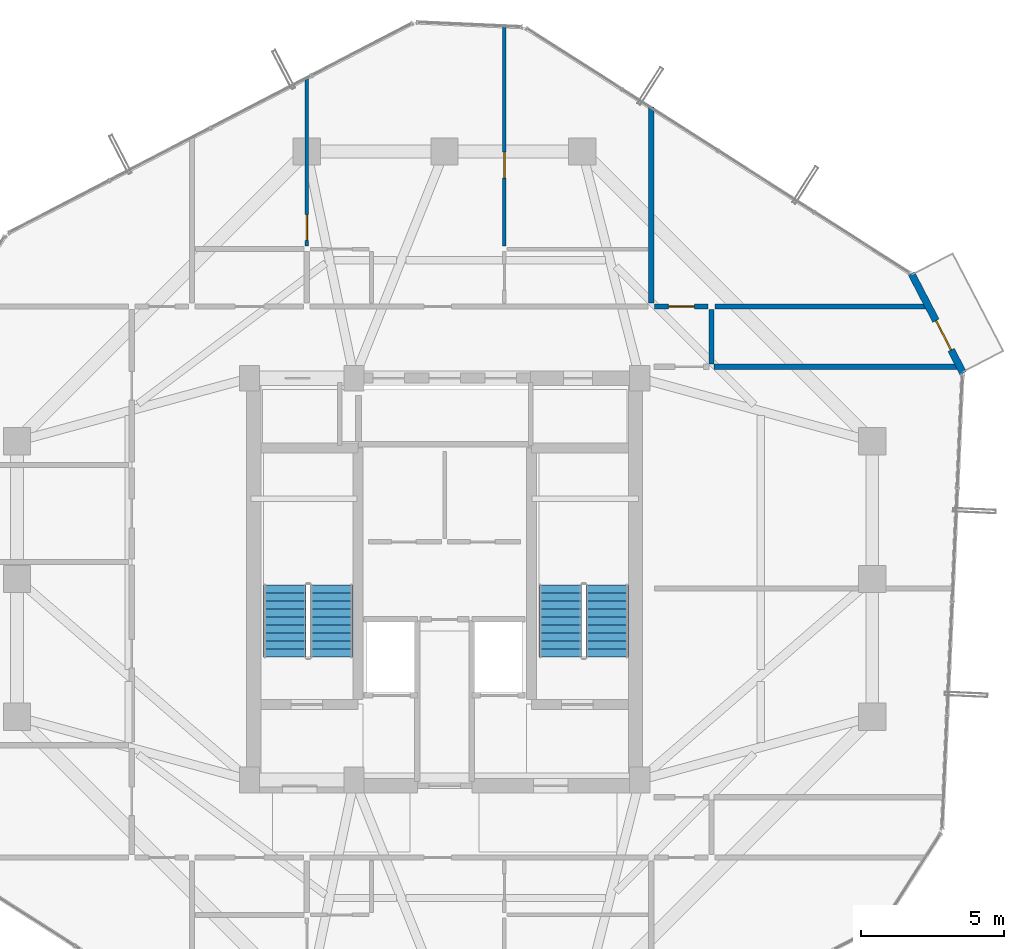
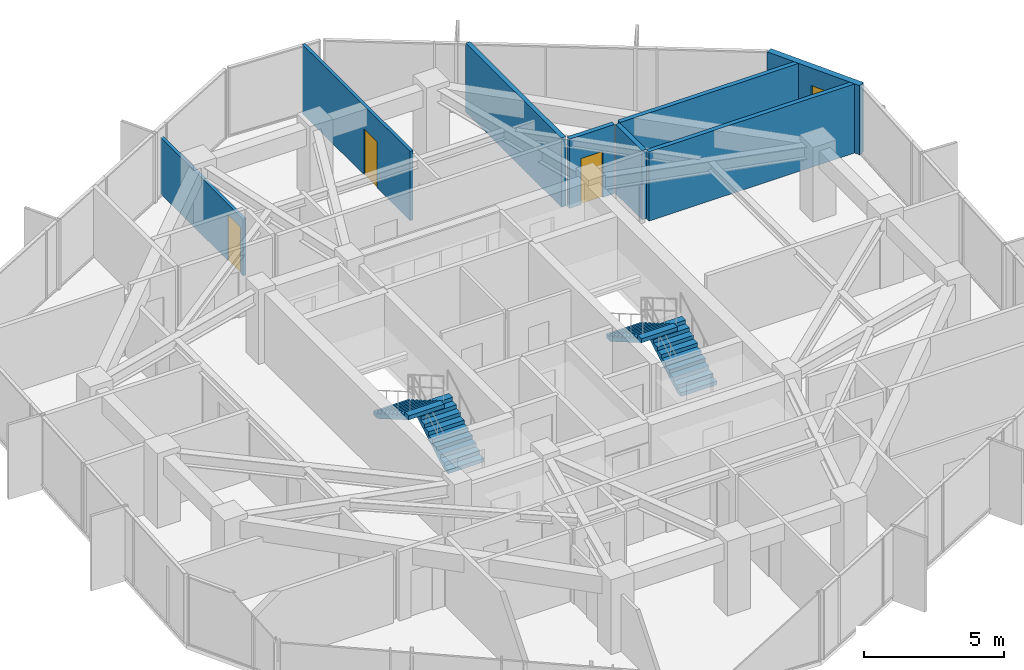
# One storey, part 27 of 29: 8 walls, 4 doors, 4 stair flights, 4 openings, 2 elements without a shape of their own.
"""IFC4 building model written with IfcOpenShell, lengths in metres."""

from ifc_helpers import new_model, si_unit, direction, frame, frame_2d, origin, place, context, subcontext, project, spatial, polyline, rectangle, outline, extrude, source, transform, mapped, material, layer, layer_set, type_object, element, fill, aggregate, save


model = new_model("IFC4")

# Units and contexts
model_context = context("Model", 3, precision=1e-05, world=origin(), true_north=direction((0.0, 1.0)))
body_context = subcontext(model_context, "Body", "Model", "MODEL_VIEW")
ifc_project = project(units=[si_unit("LENGTHUNIT", "METRE"), si_unit("AREAUNIT", "SQUARE_METRE"), si_unit("VOLUMEUNIT", "CUBIC_METRE"), si_unit("PLANEANGLEUNIT", "RADIAN"), si_unit("MASSUNIT", "GRAM", prefix="KILO")], contexts=[model_context])

# Site, building, storey
site_placement = place(None, origin())
site = spatial("IfcSite", under=ifc_project, at=site_placement, CompositionType="ELEMENT")
building_placement = place(site_placement, origin())
building = spatial("IfcBuilding", under=site, at=building_placement, Name="Veraguas Prism Commons", CompositionType="ELEMENT")
storey_placement = place(building_placement, frame((0.0, 0.0, 215.64990234375)))
storey = spatial("IfcBuildingStorey", under=building, at=storey_placement, Name="L61", CompositionType="ELEMENT", Elevation=215.64990234375)

# Walls
ifc_material_1 = material(Name="Autoclaved aerated masonry block 10 MPa", Category="masonry")
ifc_layer_1 = layer(ifc_material_1, 0.179931640625, Name="Corridor and Inter-Tenancy Partition 180", Category="masonry")
ifc_layer_set_1 = layer_set([ifc_layer_1], Name="Autoclaved aerated masonry block 10 MPa")
wall_type_1 = type_object("IfcWallType", Name="Corridor and Inter-Tenancy Partition 180", PredefinedType="PARTITIONING", material=ifc_layer_set_1)
wall_1_placement = place(storey_placement, frame((31.199951171875, 33.6201171875, 0.0), z_axis=(0.0, 0.0, 1.0), x_axis=(0.0, 1.0, 0.0)))
element("IfcWall", 1, at=wall_1_placement, inside=storey, type_object=wall_type_1, Name="WL-L61-PT014", PredefinedType="PARTITIONING", context=body_context, shape_type="SweptSolid", body=[
    extrude(rectangle(XDim=6.830810546875, YDim=0.179931640625, at=frame_2d((3.41552734375, 0.0))), origin(), (0.0, 0.0, 1.0), 3.01513671875),
])
wall_2_placement = place(storey_placement, frame((33.300048828125, 31.5, 0.0), z_axis=(0.0, 0.0, 1.0), x_axis=(0.0, 1.0, 0.0)))
element("IfcWall", 2, at=wall_2_placement, inside=storey, type_object=wall_type_1, Name="WL-L61-PT036", PredefinedType="PARTITIONING", context=body_context, shape_type="SweptSolid", body=[
    extrude(rectangle(XDim=1.89990234375, YDim=0.179931640625, at=frame_2d((0.949951171875, 0.0))), origin(), (0.0, 0.0, 1.0), 3.01513671875),
])
wall_3_placement = place(storey_placement, frame((33.3798828125, 31.39990234375, 0.0), z_axis=(0.0, 0.0, 1.0), x_axis=(1.0, 0.0, 0.0)))
element("IfcWall", 3, at=wall_3_placement, inside=storey, type_object=wall_type_1, Name="WL-L61-PT040", PredefinedType="PARTITIONING", context=body_context, shape_type="SweptSolid", body=[
    extrude(rectangle(XDim=8.60693359375, YDim=0.179931640625, at=frame_2d((4.303466796875, 0.0))), origin(), (0.0, 0.0, 1.0), 3.01513671875),
])
wall_4_placement = place(storey_placement, frame((33.419921875, 33.5, 0.0), z_axis=(0.0, 0.0, 1.0), x_axis=(1.0, 0.0, 0.0)))
element("IfcWall", 4, at=wall_4_placement, inside=storey, type_object=wall_type_1, Name="WL-L61-PT046", PredefinedType="PARTITIONING", context=body_context, shape_type="SweptSolid", body=[
    extrude(rectangle(XDim=7.476318359375, YDim=0.179931640625, at=frame_2d((3.73828125, 0.0))), origin(), (0.0, 0.0, 1.0), 3.01513671875),
])

# Wall, opening, door
wall_5_placement = place(storey_placement, frame((31.320068359375, 33.5, 0.0), z_axis=(0.0, 0.0, 1.0), x_axis=(1.0, 0.0, 0.0)))
wall_5 = element("IfcWall", 5, at=wall_5_placement, inside=storey, type_object=wall_type_1, Name="WL-L61-PT047", PredefinedType="PARTITIONING", context=body_context, shape_type="SweptSolid", body=[
    extrude(rectangle(XDim=1.85986328125, YDim=0.179931640625, at=frame_2d((0.929931640625, 0.0))), origin(), (0.0, 0.0, 1.0), 3.01513671875),
])
opening_1_placement = place(wall_5_placement, frame((0.47998046875, 0.0, 0.0)))
opening_1 = element("IfcOpeningElement", 6, at=opening_1_placement, cuts=wall_5, Name="Opening DR-14", PredefinedType="OPENING", context=body_context, shape_type="SweptSolid", body=[
    extrude(rectangle(XDim=0.89990234375, YDim=2.010009765625, at=frame_2d((0.449951171875, 1.0048828125))), frame((0.0, 0.099853515625, 0.0), z_axis=(0.0, -1.0, 0.0), x_axis=(1.0, 0.0, 0.0)), (0.0, 0.0, 1.0), 0.199951171875),
])
ifc_material_2 = material(Name="Steel fire-rated door assembly", Category="steel")
door_type_1 = type_object("IfcDoorType", Name="Core Service Room Fire Door 900x2010", OperationType="NOTDEFINED", PredefinedType="DOOR", material=ifc_material_2)
shared_shape_1 = source(origin(), body_context, "Body", "SweptSolid", [
    extrude(rectangle(XDim=0.89990234375, YDim=2.010009765625, at=frame_2d((0.449951171875, 1.0048828125))), frame((0.0, 0.02490234375, 0.0), z_axis=(0.0, -1.0, 0.0), x_axis=(1.0, 0.0, 0.0)), (0.0, 0.0, 1.0), 0.050048828125),
])
door_1_placement = place(opening_1_placement, origin())
door_1 = element("IfcDoor", 7, at=door_1_placement, inside=storey, type_object=door_type_1, Name="Residents Cycle and Pram Store NE Door", OperationType="SINGLE_SWING_LEFT", OverallHeight=2.010009765625, OverallWidth=0.89990234375, PredefinedType="DOOR", context=body_context, shape_type="MappedRepresentation", body=[
    mapped(shared_shape_1, transform((0.0, 0.0, 0.0), scale=1.0)),
])
fill(opening_1, door_1)

ifc_material_3 = material(Name="Precast concrete C40/50", Category="concrete")
ifc_layer_2 = layer(ifc_material_3, 0.25, Name="External Loggia and Portal Wall 250", Category="concrete")
ifc_layer_set_2 = layer_set([ifc_layer_2], Name="Precast concrete C40/50")
wall_type_2 = type_object("IfcWallType", Name="External Loggia and Portal Wall 250", PredefinedType="SOLIDWALL", material=ifc_layer_set_2)
wall_6_placement = place(storey_placement, frame((42.06884765625, 31.1767578125, 0.0), z_axis=(0.0, 0.0, 1.0), x_axis=(-0.460857783271, 0.887474001646, 0.0)))
wall_6 = element("IfcWall", 8, at=wall_6_placement, inside=storey, type_object=wall_type_2, Name="Corner Loggia Wall L61-C1", PredefinedType="SOLIDWALL", context=body_context, shape_type="SweptSolid", body=[
    extrude(rectangle(XDim=3.914306640625, YDim=0.25, at=frame_2d((1.95703125, 0.0))), origin(), (0.0, 0.0, 1.0), 3.01513671875),
])
opening_2_placement = place(wall_6_placement, frame((0.909912109375, 0.0, 0.0)))
opening_2 = element("IfcOpeningElement", 9, at=opening_2_placement, cuts=wall_6, Name="Opening DR-10", PredefinedType="OPENING", context=body_context, shape_type="SweptSolid", body=[
    extrude(rectangle(XDim=1.14990234375, YDim=2.25, at=frame_2d((0.574951171875, 1.125))), frame((0.0, 0.135009765625, 0.0), z_axis=(0.0, -1.0, 0.0), x_axis=(1.0, 0.0, 0.0)), (0.0, 0.0, 1.0), 0.27001953125),
])
ifc_material_4 = material(Name="Anodised aluminium EN AW-6063 T6", Category="aluminium")
door_type_2 = type_object("IfcDoorType", Name="Glazed Loggia and Terrace Door 1150x2250", OperationType="NOTDEFINED", PredefinedType="DOOR", material=ifc_material_4)
shared_shape_2 = source(origin(), body_context, "Body", "SweptSolid", [
    extrude(rectangle(XDim=1.14990234375, YDim=2.25, at=frame_2d((0.574951171875, 1.125))), frame((0.0, 0.02490234375, 0.0), z_axis=(0.0, -1.0, 0.0), x_axis=(1.0, 0.0, 0.0)), (0.0, 0.0, 1.0), 0.050048828125),
])
door_2_placement = place(opening_2_placement, frame((1.14990234375, 0.0, 0.0), z_axis=(0.0, 0.0, 1.0), x_axis=(-1.0, 0.0, 0.0)))
door_2 = element("IfcDoor", 10, at=door_2_placement, inside=storey, type_object=door_type_2, Name="Recessed Loggia Door L61-C1", OperationType="SINGLE_SWING_LEFT", OverallHeight=2.25, OverallWidth=1.14990234375, PredefinedType="DOOR", context=body_context, shape_type="MappedRepresentation", body=[
    mapped(shared_shape_2, transform((0.0, 0.0, 0.0), scale=1.0)),
])
fill(opening_2, door_2)

ifc_material_5 = material(Name="Lightweight acoustic gypsum board")
ifc_layer_3 = layer(ifc_material_5, 0.125, Name="Internal Apartment Room Partition 125")
ifc_layer_set_3 = layer_set([ifc_layer_3], Name="Lightweight acoustic gypsum board")
wall_type_3 = type_object("IfcWallType", Name="Internal Apartment Room Partition 125", PredefinedType="PARTITIONING", material=ifc_layer_set_3)
wall_7_placement = place(storey_placement, frame((19.199951171875, 35.60009765625, 0.0), z_axis=(0.0, 0.0, 1.0), x_axis=(0.0, 1.0, 0.0)))
wall_7 = element("IfcWall", 11, at=wall_7_placement, inside=storey, type_object=wall_type_3, Name="WL-L61-PT019", PredefinedType="PARTITIONING", context=body_context, shape_type="SweptSolid", body=[
    extrude(rectangle(XDim=5.896728515625, YDim=0.125, at=frame_2d((2.9482421875, 0.0))), origin(), (0.0, 0.0, 1.0), 2.468994140625),
])
opening_3_placement = place(wall_7_placement, frame((0.199951171875, 0.0, 0.0)))
opening_3 = element("IfcOpeningElement", 12, at=opening_3_placement, cuts=wall_7, Name="Opening DR-02", PredefinedType="OPENING", context=body_context, shape_type="SweptSolid", body=[
    extrude(rectangle(XDim=0.89990234375, YDim=2.010009765625, at=frame_2d((0.449951171875, 1.0048828125))), frame((0.0, 0.072509765625, 0.0), z_axis=(0.0, -1.0, 0.0), x_axis=(1.0, 0.0, 0.0)), (0.0, 0.0, 1.0), 0.14501953125),
])
ifc_material_6 = material(Name="Timber solid core hardwood", Category="wood")
door_type_3 = type_object("IfcDoorType", Name="Internal Habitable Room Door 900x2010", OperationType="NOTDEFINED", PredefinedType="DOOR", material=ifc_material_6)
door_3_placement = place(opening_3_placement, origin())
door_3 = element("IfcDoor", 13, at=door_3_placement, inside=storey, type_object=door_type_3, Name="Flat 61B Bedroom 2 Door", OperationType="SINGLE_SWING_LEFT", OverallHeight=2.010009765625, OverallWidth=0.89990234375, PredefinedType="DOOR", context=body_context, shape_type="MappedRepresentation", body=[
    mapped(shared_shape_1, transform((0.0, 0.0, 0.0), scale=1.0)),
])
fill(opening_3, door_3)

wall_8_placement = place(storey_placement, frame((26.080078125, 35.60009765625, 0.0), z_axis=(0.0, 0.0, 1.0), x_axis=(0.0, 1.0, 0.0)))
wall_8 = element("IfcWall", 14, at=wall_8_placement, inside=storey, type_object=wall_type_3, Name="WL-L61-PT024", PredefinedType="PARTITIONING", context=body_context, shape_type="SweptSolid", body=[
    extrude(rectangle(XDim=7.699462890625, YDim=0.125, at=frame_2d((3.849609375, 0.0))), origin(), (0.0, 0.0, 1.0), 3.01513671875),
])
opening_4_placement = place(wall_8_placement, frame((2.375732421875, 0.0, 0.0)))
opening_4 = element("IfcOpeningElement", 15, at=opening_4_placement, cuts=wall_8, Name="Opening DR-02", PredefinedType="OPENING", context=body_context, shape_type="SweptSolid", body=[
    extrude(rectangle(XDim=0.89990234375, YDim=2.010009765625, at=frame_2d((0.449951171875, 1.0048828125))), frame((0.0, 0.072509765625, 0.0), z_axis=(0.0, -1.0, 0.0), x_axis=(1.0, 0.0, 0.0)), (0.0, 0.0, 1.0), 0.14501953125),
])
door_4_placement = place(opening_4_placement, origin())
door_4 = element("IfcDoor", 16, at=door_4_placement, inside=storey, type_object=door_type_3, Name="Flat 61B Bedroom 1 Door", OperationType="SINGLE_SWING_RIGHT", OverallHeight=2.010009765625, OverallWidth=0.89990234375, PredefinedType="DOOR", context=body_context, shape_type="MappedRepresentation", body=[
    mapped(shared_shape_1, transform((0.0, 0.0, 0.0), scale=1.0)),
])
fill(opening_4, door_4)

# Stair, stair flights
ifc_material_7 = material(Name="Precast concrete C45/55", Category="concrete")
stair_type = type_object("IfcStairType", Name="Dogleg Core Stair 1480W 20R 05", PredefinedType="HALF_TURN_STAIR", material=ifc_material_7)
stair_1_placement = place(storey_placement, origin())
stair_1 = element("IfcStair", 17, at=stair_1_placement, inside=storey, type_object=stair_type, Name="Protected Exit Stair ST-01 L61", PredefinedType="HALF_TURN_STAIR")
stair_flight_type = type_object("IfcStairFlightType", Name="Precast Stair Flight 1480W 10R 05", PredefinedType="STRAIGHT", material=ifc_material_7)
stair_flight_1_placement = place(storey_placement, frame((20.06005859375, 21.280029296875, 0.0), z_axis=(0.0, 0.0, 1.0), x_axis=(0.0, 1.0, 0.0)))
stair_flight_1 = element("IfcStairFlight", 18, at=stair_flight_1_placement, type_object=stair_flight_type, Name="ST-05 Flight 1", NumberOfRisers=10, NumberOfTreads=9, PredefinedType="STRAIGHT", RiserHeight=0.1625, TreadLength=0.28, context=body_context, shape_type="SweptSolid", body=[
    extrude(outline(polyline([(0.0, 0.0), (0.0, 0.16259765625), (0.280029296875, 0.16259765625), (0.280029296875, 0.324951171875), (0.56005859375, 0.324951171875), (0.56005859375, 0.487548828125), (0.840087890625, 0.487548828125), (0.840087890625, 0.64990234375), (1.1201171875, 0.64990234375), (1.1201171875, 0.8125), (1.39990234375, 0.8125), (1.39990234375, 0.97509765625), (1.679931640625, 0.97509765625), (1.679931640625, 1.137451171875), (1.9599609375, 1.137451171875), (1.9599609375, 1.300048828125), (2.239990234375, 1.300048828125), (2.239990234375, 1.46240234375), (2.52001953125, 1.46240234375), (2.52001953125, 1.625), (2.52001953125, 1.2890625), (0.298583984375, 0.0), (0.0, 0.0)])), frame((0.0, 0.739990234375, 0.0), z_axis=(0.0, -1.0, 0.0), x_axis=(1.0, 0.0, 0.0)), (0.0, 0.0, 1.0), 1.47998046875),
])
stair_flight_2_placement = place(storey_placement, frame((18.429931640625, 23.800048828125, 1.625), z_axis=(0.0, 0.0, 1.0), x_axis=(0.0, -1.0, 0.0)))
stair_flight_2 = element("IfcStairFlight", 19, at=stair_flight_2_placement, type_object=stair_flight_type, Name="ST-05 Flight 2", NumberOfRisers=10, NumberOfTreads=9, PredefinedType="STRAIGHT", RiserHeight=0.1625, TreadLength=0.28, context=body_context, shape_type="SweptSolid", body=[
    extrude(outline(polyline([(0.0, 0.0), (0.0, 0.16259765625), (0.280029296875, 0.16259765625), (0.280029296875, 0.324951171875), (0.56005859375, 0.324951171875), (0.56005859375, 0.487548828125), (0.840087890625, 0.487548828125), (0.840087890625, 0.64990234375), (1.1201171875, 0.64990234375), (1.1201171875, 0.8125), (1.39990234375, 0.8125), (1.39990234375, 0.97509765625), (1.679931640625, 0.97509765625), (1.679931640625, 1.137451171875), (1.9599609375, 1.137451171875), (1.9599609375, 1.300048828125), (2.239990234375, 1.300048828125), (2.239990234375, 1.46240234375), (2.52001953125, 1.46240234375), (2.52001953125, 1.625), (2.52001953125, 1.2890625), (0.298583984375, 0.0), (0.0, 0.0)])), frame((0.0, 0.739990234375, 0.0), z_axis=(0.0, -1.0, 0.0), x_axis=(1.0, 0.0, 0.0)), (0.0, 0.0, 1.0), 1.47998046875),
])
aggregate(stair_1, [stair_flight_1, stair_flight_2])

stair_2_placement = place(storey_placement, origin())
stair_2 = element("IfcStair", 20, at=stair_2_placement, inside=storey, type_object=stair_type, Name="Protected Exit Stair ST-02 L61", PredefinedType="HALF_TURN_STAIR")
stair_flight_3_placement = place(storey_placement, frame((29.659912109375, 21.280029296875, 0.0), z_axis=(0.0, 0.0, 1.0), x_axis=(0.0, 1.0, 0.0)))
stair_flight_3 = element("IfcStairFlight", 21, at=stair_flight_3_placement, type_object=stair_flight_type, Name="ST-05 Flight 1", NumberOfRisers=10, NumberOfTreads=9, PredefinedType="STRAIGHT", RiserHeight=0.1625, TreadLength=0.28, context=body_context, shape_type="SweptSolid", body=[
    extrude(outline(polyline([(0.0, 0.0), (0.0, 0.16259765625), (0.280029296875, 0.16259765625), (0.280029296875, 0.324951171875), (0.56005859375, 0.324951171875), (0.56005859375, 0.487548828125), (0.840087890625, 0.487548828125), (0.840087890625, 0.64990234375), (1.1201171875, 0.64990234375), (1.1201171875, 0.8125), (1.39990234375, 0.8125), (1.39990234375, 0.97509765625), (1.679931640625, 0.97509765625), (1.679931640625, 1.137451171875), (1.9599609375, 1.137451171875), (1.9599609375, 1.300048828125), (2.239990234375, 1.300048828125), (2.239990234375, 1.46240234375), (2.52001953125, 1.46240234375), (2.52001953125, 1.625), (2.52001953125, 1.2890625), (0.298583984375, 0.0), (0.0, 0.0)])), frame((0.0, 0.739990234375, 0.0), z_axis=(0.0, -1.0, 0.0), x_axis=(1.0, 0.0, 0.0)), (0.0, 0.0, 1.0), 1.47998046875),
])
stair_flight_4_placement = place(storey_placement, frame((28.030029296875, 23.800048828125, 1.625), z_axis=(0.0, 0.0, 1.0), x_axis=(0.0, -1.0, 0.0)))
stair_flight_4 = element("IfcStairFlight", 22, at=stair_flight_4_placement, type_object=stair_flight_type, Name="ST-05 Flight 2", NumberOfRisers=10, NumberOfTreads=9, PredefinedType="STRAIGHT", RiserHeight=0.1625, TreadLength=0.28, context=body_context, shape_type="SweptSolid", body=[
    extrude(outline(polyline([(0.0, 0.0), (0.0, 0.16259765625), (0.280029296875, 0.16259765625), (0.280029296875, 0.324951171875), (0.56005859375, 0.324951171875), (0.56005859375, 0.487548828125), (0.840087890625, 0.487548828125), (0.840087890625, 0.64990234375), (1.1201171875, 0.64990234375), (1.1201171875, 0.8125), (1.39990234375, 0.8125), (1.39990234375, 0.97509765625), (1.679931640625, 0.97509765625), (1.679931640625, 1.137451171875), (1.9599609375, 1.137451171875), (1.9599609375, 1.300048828125), (2.239990234375, 1.300048828125), (2.239990234375, 1.46240234375), (2.52001953125, 1.46240234375), (2.52001953125, 1.625), (2.52001953125, 1.2890625), (0.298583984375, 0.0), (0.0, 0.0)])), frame((0.0, 0.739990234375, 0.0), z_axis=(0.0, -1.0, 0.0), x_axis=(1.0, 0.0, 0.0)), (0.0, 0.0, 1.0), 1.47998046875),
])
aggregate(stair_2, [stair_flight_3, stair_flight_4])

save(model, "model.ifc")
